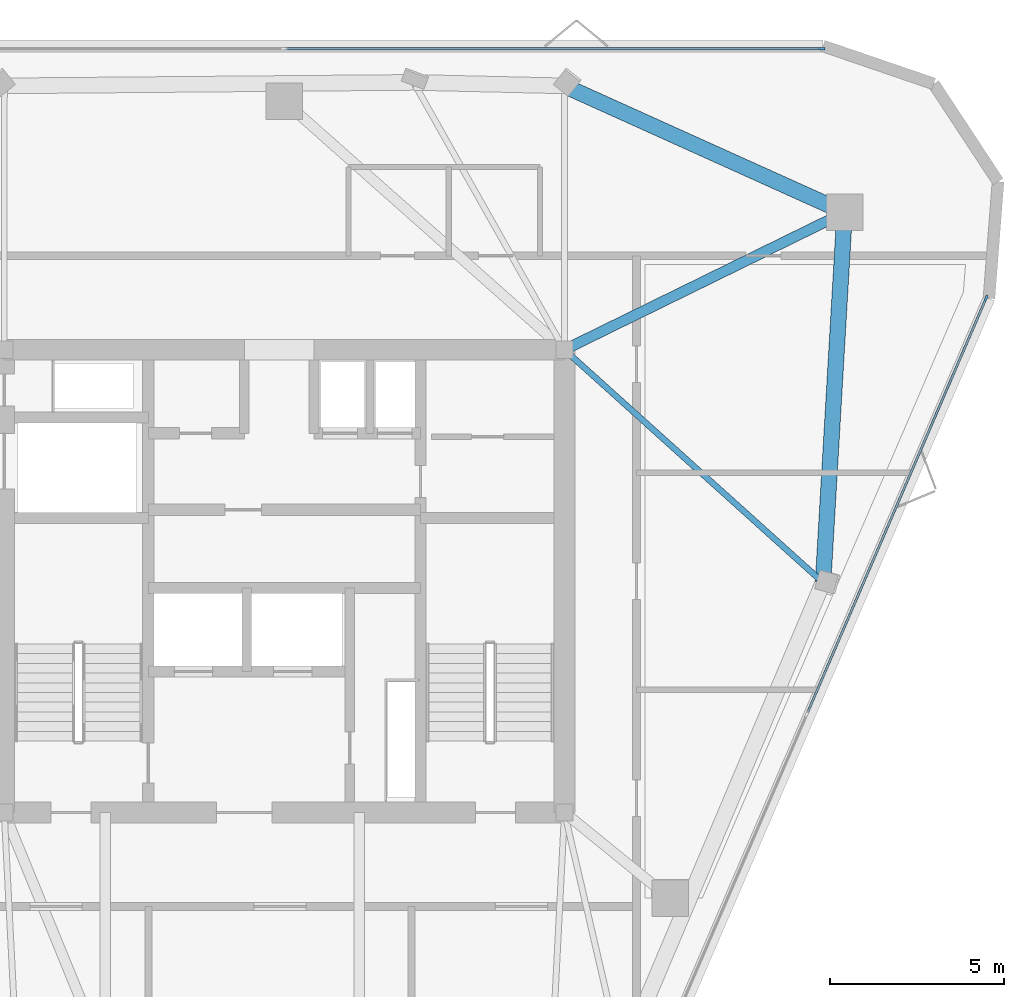
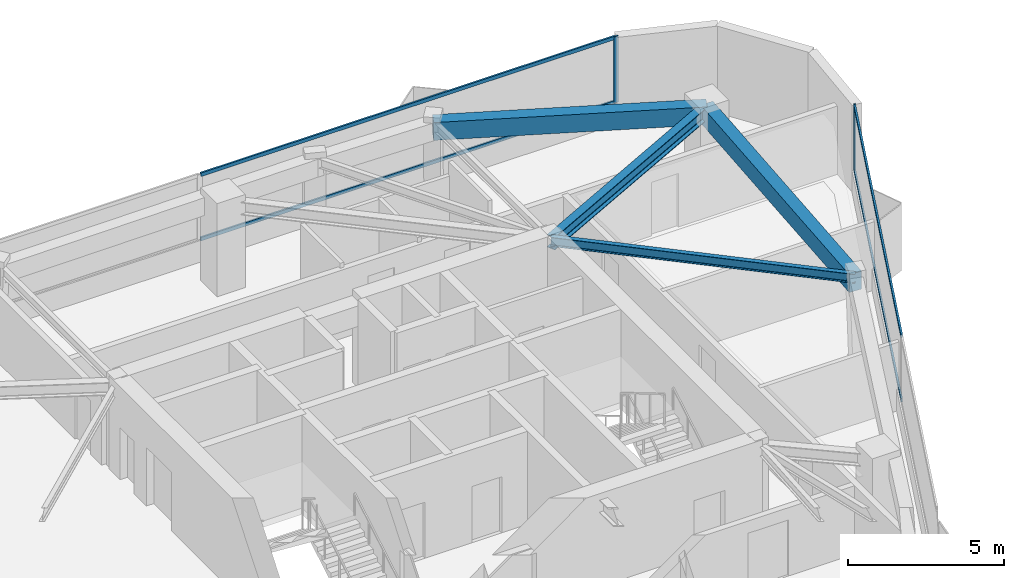
# One storey, part 5 of 9: 6 members, 4 beams, 2 elements without a shape of their own.
"""IFC4 building model written with IfcOpenShell, lengths in metres."""

from ifc_helpers import new_model, si_unit, direction, frame, origin, origin_2d, place, context, subcontext, project, spatial, rectangle, i_section, extrude, material, layer, layer_set, material_profile, profile_set, type_object, element, aggregate, save


model = new_model("IFC4")

# Units and contexts
model_context = context("Model", 3, precision=1e-05, world=origin(), true_north=direction((0.0, 1.0)))
body_context = subcontext(model_context, "Body", "Model", "MODEL_VIEW")
ifc_project = project(units=[si_unit("LENGTHUNIT", "METRE"), si_unit("AREAUNIT", "SQUARE_METRE"), si_unit("VOLUMEUNIT", "CUBIC_METRE"), si_unit("PLANEANGLEUNIT", "RADIAN"), si_unit("MASSUNIT", "GRAM", prefix="KILO")], contexts=[model_context])

# Site, building, storey
site_placement = place(None, origin())
site = spatial("IfcSite", under=ifc_project, at=site_placement, CompositionType="ELEMENT")
building_placement = place(site_placement, origin())
building = spatial("IfcBuilding", under=site, at=building_placement, Name="Talyreon Biosciences Tower", CompositionType="ELEMENT")
storey_placement = place(building_placement, frame((0.0, 0.0, 302.050048828125)))
storey = spatial("IfcBuildingStorey", under=building, at=storey_placement, Name="L80", CompositionType="ELEMENT", Elevation=302.050048828125)

# Curtain wall, member
ifc_material_1 = material(Name="Thermally broken aluminium and low-E glazing", Category="aluminium")
ifc_layer = layer(ifc_material_1, 0.175048828125)
ifc_layer_set = layer_set([ifc_layer], Name="Thermally broken aluminium and low-E glazing")
curtain_wall_type = type_object("IfcCurtainWallType", Name="CurtainWall_Zone5CompLab", PredefinedType="NOTDEFINED", material=ifc_layer_set)
curtain_wall_1_placement = place(storey_placement, origin())
curtain_wall_1 = element("IfcCurtainWall", 1, at=curtain_wall_1_placement, inside=storey, type_object=curtain_wall_type, Name="L80 Unitised Curtain Wall FCW-L80-04", PredefinedType="NOTDEFINED")
ifc_material_2 = material(Name="Anodised thermally broken aluminium", Category="aluminium")
ifc_material_profile_1 = material_profile(ifc_material_2, rectangle(XDim=0.06494140625, YDim=0.179931640625, at=origin_2d()), Name="ALUM MULLION 65x180")
ifc_profile_set_1 = profile_set([ifc_material_profile_1], Name="Anodised thermally broken aluminium")
member_type_1 = type_object("IfcMemberType", Name="CWMullion_65x180", PredefinedType="MULLION", material=ifc_profile_set_1)
member_1_placement = place(storey_placement, frame((81.4443359375, 83.303466796875, 0.81005859375), z_axis=(0.0, 0.0, 1.0), x_axis=(0.0, 1.0, 0.0)))
member_1 = element("IfcMember", 2, at=member_1_placement, type_object=member_type_1, Name="CW6 mullion 3", PredefinedType="MULLION", context=body_context, shape_type="SweptSolid", body=[
    extrude(rectangle(XDim=0.06494140625, YDim=0.179931640625, at=origin_2d()), origin(), (0.0, 0.0, 1.0), 2.58984375),
])

curtain_wall_2_placement = place(storey_placement, origin())
curtain_wall_2 = element("IfcCurtainWall", 3, at=curtain_wall_2_placement, inside=storey, type_object=curtain_wall_type, Name="L80 Unitised Curtain Wall FCW-L80-08", PredefinedType="NOTDEFINED")
member_2_placement = place(storey_placement, frame((86.166015625, 76.12744140625, 0.81005859375), z_axis=(0.0, 0.0, 1.0), x_axis=(0.918363311246, -0.395738333444, 0.0)))
member_2 = element("IfcMember", 4, at=member_2_placement, type_object=member_type_1, Name="CW6 mullion 1", PredefinedType="MULLION", context=body_context, shape_type="SweptSolid", body=[
    extrude(rectangle(XDim=0.06494140625, YDim=0.179931640625, at=origin_2d()), origin(), (0.0, 0.0, 1.0), 2.58984375),
])

# Member
ifc_material_profile_2 = material_profile(ifc_material_2, rectangle(XDim=0.06494140625, YDim=0.139892578125, at=origin_2d()), Name="ALUM TRANSOM 65x140")
ifc_profile_set_2 = profile_set([ifc_material_profile_2], Name="Anodised thermally broken aluminium")
member_type_2 = type_object("IfcMemberType", Name="CWTransom_65x140", PredefinedType="USERDEFINED", material=ifc_profile_set_2)
member_3_placement = place(storey_placement, frame((66.032470703125, 83.303466796875, 0.842529296875), z_axis=(1.0, 0.0, 0.0), x_axis=(0.0, 1.0, 0.0)))
member_3 = element("IfcMember", 5, at=member_3_placement, type_object=member_type_2, Name="CW6 transom 2.1", ObjectType="TRANSOM", PredefinedType="USERDEFINED", context=body_context, shape_type="SweptSolid", body=[
    extrude(rectangle(XDim=0.06494140625, YDim=0.139892578125, at=origin_2d()), origin(), (0.0, 0.0, 1.0), 15.37939453125),
])

member_4_placement = place(storey_placement, frame((66.032470703125, 83.303466796875, 3.367431640625), z_axis=(1.0, 0.0, 0.0), x_axis=(0.0, 1.0, 0.0)))
member_4 = element("IfcMember", 6, at=member_4_placement, type_object=member_type_2, Name="CW6 transom 2.2", ObjectType="TRANSOM", PredefinedType="USERDEFINED", context=body_context, shape_type="SweptSolid", body=[
    extrude(rectangle(XDim=0.06494140625, YDim=0.139892578125, at=origin_2d()), origin(), (0.0, 0.0, 1.0), 15.37939453125),
])

aggregate(curtain_wall_1, [member_1, member_3, member_4])

member_5_placement = place(storey_placement, frame((86.153076171875, 76.09765625, 0.842529296875), z_axis=(-0.395735791356, -0.918364406671, 0.0), x_axis=(0.918364406671, -0.395735791356, 0.0)))
member_5 = element("IfcMember", 7, at=member_5_placement, type_object=member_type_2, Name="CW6 transom 1.1", ObjectType="TRANSOM", PredefinedType="USERDEFINED", context=body_context, shape_type="SweptSolid", body=[
    extrude(rectangle(XDim=0.06494140625, YDim=0.139892578125, at=origin_2d()), origin(), (0.0, 0.0, 1.0), 12.938720703125),
])

member_6_placement = place(storey_placement, frame((86.153076171875, 76.09765625, 3.367431640625), z_axis=(-0.395735791356, -0.918364406671, 0.0), x_axis=(0.918364406671, -0.395735791356, 0.0)))
member_6 = element("IfcMember", 8, at=member_6_placement, type_object=member_type_2, Name="CW6 transom 1.2", ObjectType="TRANSOM", PredefinedType="USERDEFINED", context=body_context, shape_type="SweptSolid", body=[
    extrude(rectangle(XDim=0.06494140625, YDim=0.139892578125, at=origin_2d()), origin(), (0.0, 0.0, 1.0), 12.938720703125),
])

aggregate(curtain_wall_2, [member_2, member_5, member_6])

# Beams
ifc_material_3 = material(Name="Precast concrete C45/55", Category="concrete")
ifc_material_profile_3 = material_profile(ifc_material_3, rectangle(XDim=0.449951171875, YDim=0.699951171875, at=origin_2d()), Name="RCB 450x700")
ifc_profile_set_3 = profile_set([ifc_material_profile_3], Name="Precast concrete C45/55")
beam_type_1 = type_object("IfcBeamType", Name="ExpressedSpandrel_450x700", PredefinedType="SPANDREL", material=ifc_profile_set_3)
beam_1_placement = place(storey_placement, frame((81.481689453125, 67.960693359375, 3.050048828125), z_axis=(0.058239856277, 0.998302619019, 0.0), x_axis=(-0.998302619019, 0.058239856277, 0.0)))
element("IfcBeam", 9, at=beam_1_placement, inside=storey, type_object=beam_type_1, Name="L80 Expressed Horizontal Concrete Spandrel 04", PredefinedType="SPANDREL", context=body_context, shape_type="SweptSolid", body=[
    extrude(rectangle(XDim=0.449951171875, YDim=0.699951171875, at=origin_2d()), origin(), (0.0, 0.0, 1.0), 10.656005859375),
])
beam_2_placement = place(storey_placement, frame((82.102294921875, 78.5986328125, 3.050048828125), z_axis=(-0.91148156022, 0.411340935695, 0.0), x_axis=(-0.411340935695, -0.91148156022, 0.0)))
element("IfcBeam", 10, at=beam_2_placement, inside=storey, type_object=beam_type_1, Name="L80 Expressed Horizontal Concrete Spandrel 05", PredefinedType="SPANDREL", context=body_context, shape_type="SweptSolid", body=[
    extrude(rectangle(XDim=0.449951171875, YDim=0.699951171875, at=origin_2d()), origin(), (0.0, 0.0, 1.0), 8.83642578125),
])
ifc_material_4 = material(Name="Steel SM355", Category="steel")
ifc_material_profile_4 = material_profile(ifc_material_4, i_section(OverallWidth=0.300048828125, OverallDepth=0.5, WebThickness=0.014404296875, FlangeThickness=0.028076171875, FilletRadius=0.027099609375, at=origin_2d()), Name="HE500B")
ifc_profile_set_4 = profile_set([ifc_material_profile_4], Name="Steel SM355")
beam_type_2 = type_object("IfcBeamType", Name="SteelBeam_HE500B", PredefinedType="BEAM", material=ifc_profile_set_4)
beam_3_placement = place(storey_placement, frame((74.050048828125, 74.64990234375, 3.14990234375), z_axis=(0.897852360314, 0.440296648952, 0.0), x_axis=(-0.440296648952, 0.897852360314, 0.0)))
element("IfcBeam", 11, at=beam_3_placement, inside=storey, type_object=beam_type_2, Name="L80 Radial Primary Girder 3", PredefinedType="BEAM", context=body_context, shape_type="SweptSolid", body=[
    extrude(i_section(OverallWidth=0.300048828125, OverallDepth=0.5, WebThickness=0.014404296875, FlangeThickness=0.028076171875, FilletRadius=0.027099609375, at=origin_2d()), origin(), (0.0, 0.0, 1.0), 8.96826171875),
])
ifc_material_profile_5 = material_profile(ifc_material_4, i_section(OverallWidth=0.169921875, OverallDepth=0.360107421875, WebThickness=0.008056640625, FlangeThickness=0.0126953125, FilletRadius=0.01806640625, at=origin_2d()), Name="IPE360")
ifc_profile_set_5 = profile_set([ifc_material_profile_5], Name="Steel SM355")
beam_type_3 = type_object("IfcBeamType", Name="SteelJoist_IPE360", PredefinedType="JOIST", material=ifc_profile_set_5)
beam_4_placement = place(storey_placement, frame((74.050048828125, 74.64990234375, 3.219970703125), z_axis=(0.743257721788, -0.669005201028, 0.0), x_axis=(0.669005201028, 0.743257721788, 0.0)))
element("IfcBeam", 12, at=beam_4_placement, inside=storey, type_object=beam_type_3, Name="L80 Radial Composite Floor Joist PC-SE2", PredefinedType="JOIST", context=body_context, shape_type="SweptSolid", body=[
    extrude(i_section(OverallWidth=0.169921875, OverallDepth=0.360107421875, WebThickness=0.008056640625, FlangeThickness=0.0126953125, FilletRadius=0.01806640625, at=origin_2d()), origin(), (0.0, 0.0, 1.0), 9.998779296875),
])

save(model, "model.ifc")
